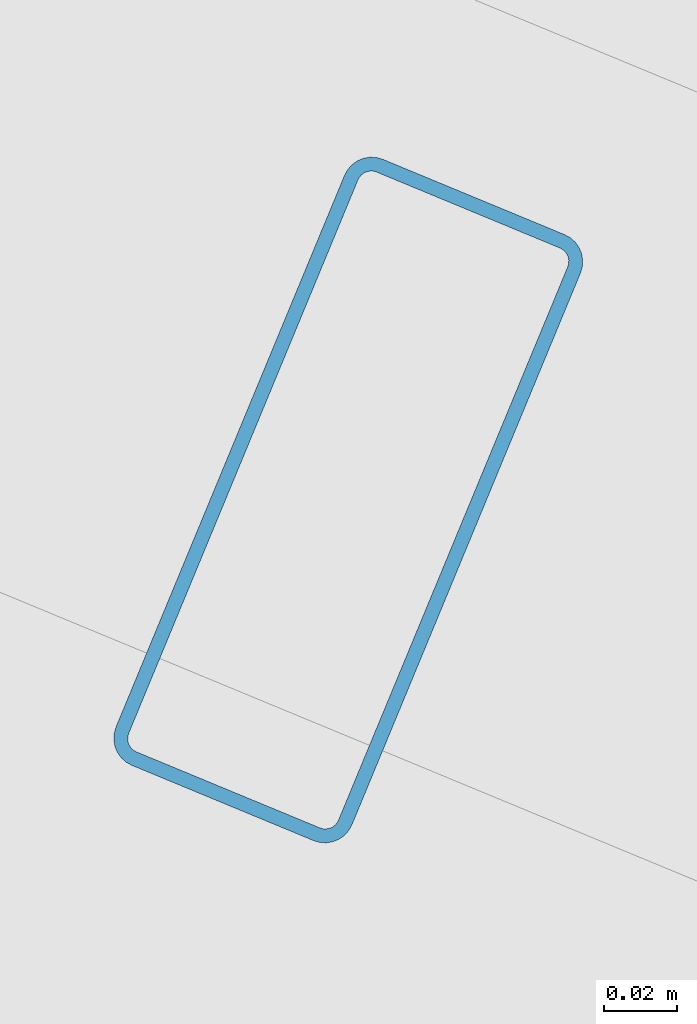
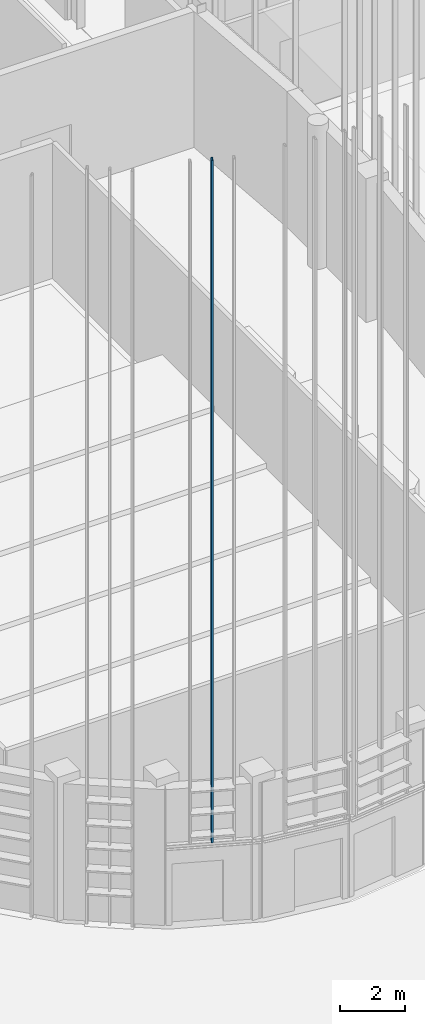
# One storey, part 29 of 372: 1 member.
"""IFC4 building model written with IfcOpenShell, lengths in metres."""

from ifc_helpers import new_model, si_unit, direction, frame, origin, origin_2d, place, context, subcontext, project, spatial, hollow_rectangle, extrude, material, material_profile, profile_set, type_object, element, save


model = new_model("IFC4")

# Units and contexts
model_context = context("Model", 3, precision=1e-05, world=origin(), true_north=direction((0.0, 1.0)))
body_context = subcontext(model_context, "Body", "Model", "MODEL_VIEW")
ifc_project = project(units=[si_unit("LENGTHUNIT", "METRE"), si_unit("AREAUNIT", "SQUARE_METRE"), si_unit("VOLUMEUNIT", "CUBIC_METRE"), si_unit("PLANEANGLEUNIT", "RADIAN"), si_unit("MASSUNIT", "GRAM", prefix="KILO")], contexts=[model_context])

# Site, building, storey
site_placement = place(None, origin())
site = spatial("IfcSite", under=ifc_project, at=site_placement, CompositionType="ELEMENT")
building_placement = place(site_placement, origin())
building = spatial("IfcBuilding", under=site, at=building_placement, Name="Kaelora Sail Theatre", CompositionType="ELEMENT")
storey_placement = place(building_placement, origin())
storey = spatial("IfcBuildingStorey", under=building, at=storey_placement, Name="L00", CompositionType="ELEMENT", Elevation=0.0)

# Member
ifc_material = material(Name="Anodised aluminium 6063-T6", Category="aluminium")
ifc_material_profile = material_profile(ifc_material, hollow_rectangle(XDim=0.070068359375, YDim=0.179931640625, WallThickness=0.00390625, InnerFilletRadius=0.00390625, OuterFilletRadius=0.008056640625, at=origin_2d()), Name="ALU-MULL 70x180x4")
ifc_profile_set = profile_set([ifc_material_profile], Name="Anodised aluminium 6063-T6")
member_type = type_object("IfcMemberType", Name="ARC-MEM-PST-160", PredefinedType="POST", material=ifc_profile_set)
member_placement = place(storey_placement, frame((37.66357421875, 24.526611328125, 3.10009765625), z_axis=(0.0, 0.0, 1.0), x_axis=(-0.923879532511, 0.382683432365, 0.0)))
element("IfcMember", 1, at=member_placement, inside=storey, type_object=member_type, Name="Main Theatre Sail Drum solar louvre vertical support post C13-2", PredefinedType="POST", context=body_context, shape_type="SweptSolid", body=[
    extrude(hollow_rectangle(XDim=0.070068359375, YDim=0.179931640625, WallThickness=0.00390625, InnerFilletRadius=0.00390625, OuterFilletRadius=0.008056640625, at=origin_2d()), origin(), (0.0, 0.0, 1.0), 25.63330078125),
])

save(model, "model.ifc")
